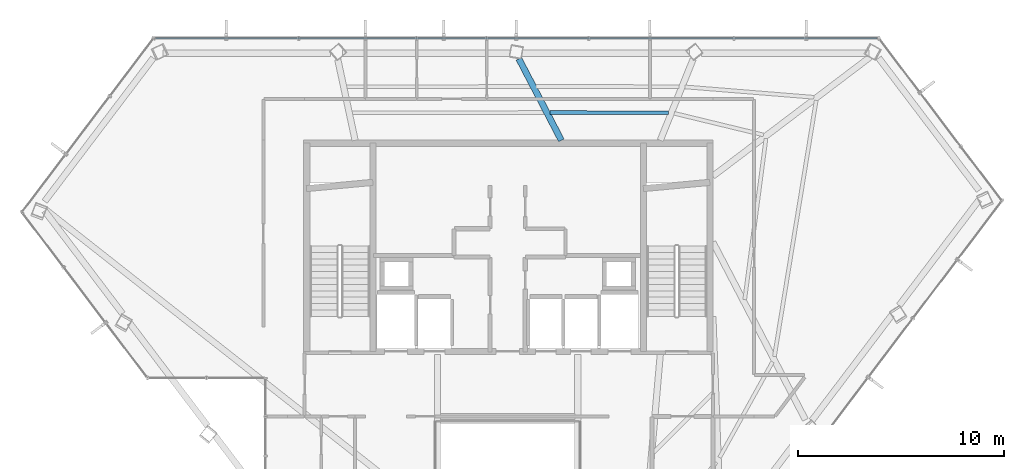
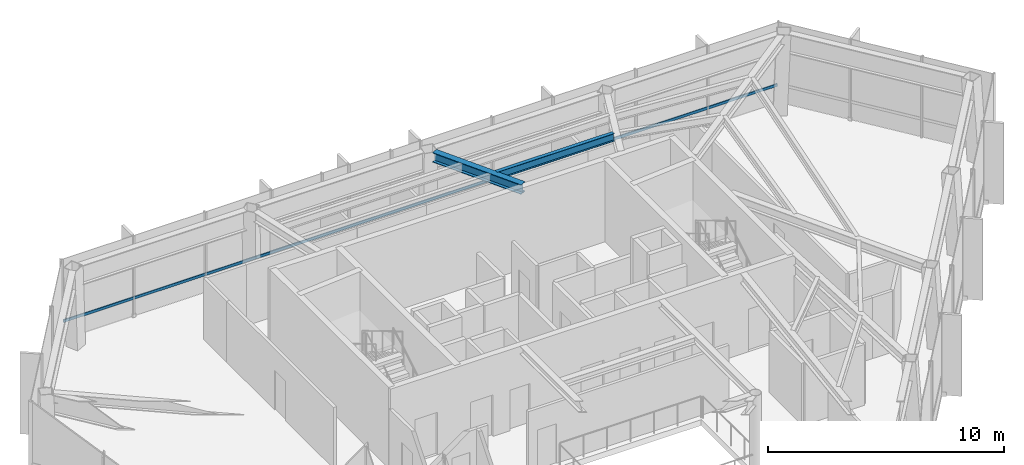
# One storey, part 10 of 22: 2 beams, 1 member, 1 element without a shape of its own.
"""IFC4 building model written with IfcOpenShell, lengths in metres."""

from ifc_helpers import new_model, si_unit, direction, frame, origin, origin_2d, place, context, subcontext, project, spatial, hollow_rectangle, i_section, extrude, material, layer, layer_set, material_profile, profile_set, type_object, element, aggregate, save


model = new_model("IFC4")

# Units and contexts
model_context = context("Model", 3, precision=1e-05, world=origin(), true_north=direction((0.0, 1.0)))
body_context = subcontext(model_context, "Body", "Model", "MODEL_VIEW")
ifc_project = project(units=[si_unit("LENGTHUNIT", "METRE"), si_unit("AREAUNIT", "SQUARE_METRE"), si_unit("VOLUMEUNIT", "CUBIC_METRE"), si_unit("PLANEANGLEUNIT", "RADIAN"), si_unit("MASSUNIT", "GRAM", prefix="KILO")], contexts=[model_context])

# Site, building, storey
site_placement = place(None, origin())
site = spatial("IfcSite", under=ifc_project, at=site_placement, CompositionType="ELEMENT")
building_placement = place(site_placement, origin())
building = spatial("IfcBuilding", under=site, at=building_placement, Name="Zarrinselat Tower", CompositionType="ELEMENT")
storey_placement = place(building_placement, frame((0.0, 0.0, 204.340087890625)))
storey = spatial("IfcBuildingStorey", under=building, at=storey_placement, Name="L50", CompositionType="ELEMENT", Elevation=204.340087890625)

# Beams
ifc_material_1 = material(Name="Steel S355J2", Category="steel")
ifc_material_profile_1 = material_profile(ifc_material_1, i_section(OverallWidth=0.300048828125, OverallDepth=0.5, WebThickness=0.014404296875, FlangeThickness=0.028076171875, at=origin_2d()), Name="HEB 500")
ifc_profile_set_1 = profile_set([ifc_material_profile_1], Name="Steel S355J2")
beam_type_1 = type_object("IfcBeamType", Name="BM-HEB500", PredefinedType="BEAM", material=ifc_profile_set_1)
beam_1_placement = place(storey_placement, frame((38.94140625, 47.4931640625, 3.949951171875), z_axis=(0.461876966874, -0.886944004699, 0.0), x_axis=(0.886944004699, 0.461876966874, 0.0)))
element("IfcBeam", 1, at=beam_1_placement, inside=storey, type_object=beam_type_1, Name="L50 Radial Primary Girder RG03", PredefinedType="BEAM", context=body_context, shape_type="SweptSolid", body=[
    extrude(i_section(OverallWidth=0.300048828125, OverallDepth=0.5, WebThickness=0.014404296875, FlangeThickness=0.028076171875, at=origin_2d()), origin(), (0.0, 0.0, 1.0), 4.45703125),
])
ifc_material_2 = material(Name="Steel S355J2", Category="steel")
ifc_material_profile_2 = material_profile(ifc_material_2, i_section(OverallWidth=0.179931640625, OverallDepth=0.39990234375, WebThickness=0.008544921875, FlangeThickness=0.013427734375, at=origin_2d()), Name="IPE 400")
ifc_profile_set_2 = profile_set([ifc_material_profile_2], Name="Steel S355J2")
beam_type_2 = type_object("IfcBeamType", Name="BM-IPE400", PredefinedType="JOIST", material=ifc_profile_set_2)
beam_2_placement = place(storey_placement, frame((40.440185546875, 44.884033203125, 4.0), z_axis=(0.999999770259, -0.000677851056, 0.0), x_axis=(0.000677851056, 0.999999770259, 0.0)))
element("IfcBeam", 2, at=beam_2_placement, inside=storey, type_object=beam_type_2, Name="L50 Composite Floor Joist 7-2", PredefinedType="JOIST", context=body_context, shape_type="SweptSolid", body=[
    extrude(i_section(OverallWidth=0.179931640625, OverallDepth=0.39990234375, WebThickness=0.008544921875, FlangeThickness=0.013427734375, at=origin_2d()), origin(), (0.0, 0.0, 1.0), 5.7626953125),
])

# Curtain wall, member
ifc_material_3 = material(Name="Extruded Aluminium Alloy EN AW-6063 T6", Category="aluminium")
ifc_layer = layer(ifc_material_3, 0.195068359375)
ifc_layer_set = layer_set([ifc_layer], Name="Extruded Aluminium Alloy EN AW-6063 T6")
curtain_wall_type = type_object("IfcCurtainWallType", Name="CWS-GDN", PredefinedType="NOTDEFINED", material=ifc_layer_set)
curtain_wall_placement = place(storey_placement, origin())
curtain_wall = element("IfcCurtainWall", 3, at=curtain_wall_placement, inside=storey, type_object=curtain_wall_type, Name="L50 Unitised Curtain Wall CW-L50-E02", PredefinedType="NOTDEFINED")
ifc_material_4 = material(Name="Extruded Aluminium Alloy EN AW-6063 T6", Category="aluminium")
ifc_material_profile_3 = material_profile(ifc_material_4, hollow_rectangle(XDim=0.06005859375, YDim=0.139892578125, WallThickness=0.00390625, at=origin_2d()), Name="RHS 140x60x4")
ifc_profile_set_3 = profile_set([ifc_material_profile_3], Name="Extruded Aluminium Alloy EN AW-6063 T6")
member_type = type_object("IfcMemberType", Name="MEM-CW-TRN", PredefinedType="USERDEFINED", material=ifc_profile_set_3)
member_placement = place(storey_placement, frame((21.31982421875, 48.489013671875, 0.949951171875), z_axis=(1.0, 0.0, 0.0), x_axis=(0.0, 1.0, 0.0)))
member = element("IfcMember", 4, at=member_placement, type_object=member_type, Name="CW-L50-E02 Transom 1", ObjectType="TRANSOM", PredefinedType="USERDEFINED", context=body_context, shape_type="SweptSolid", body=[
    extrude(hollow_rectangle(XDim=0.06005859375, YDim=0.139892578125, WallThickness=0.00390625, at=origin_2d()), origin(), (0.0, 0.0, 1.0), 34.99267578125),
])
aggregate(curtain_wall, [member])

save(model, "model.ifc")
